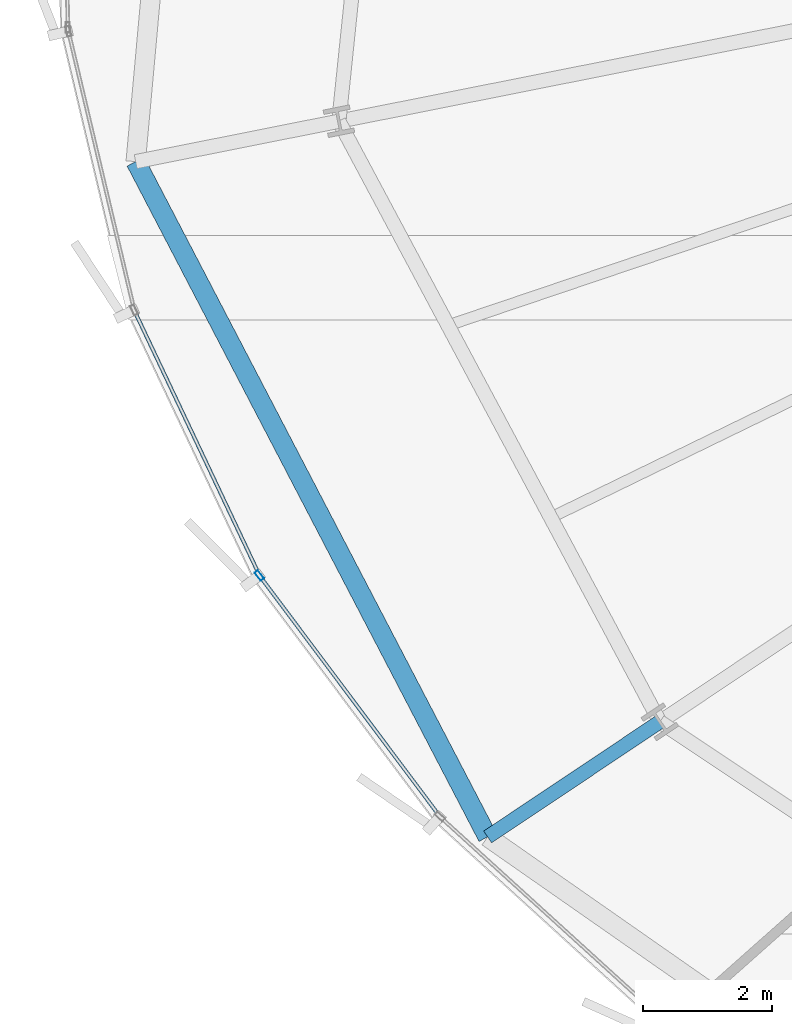
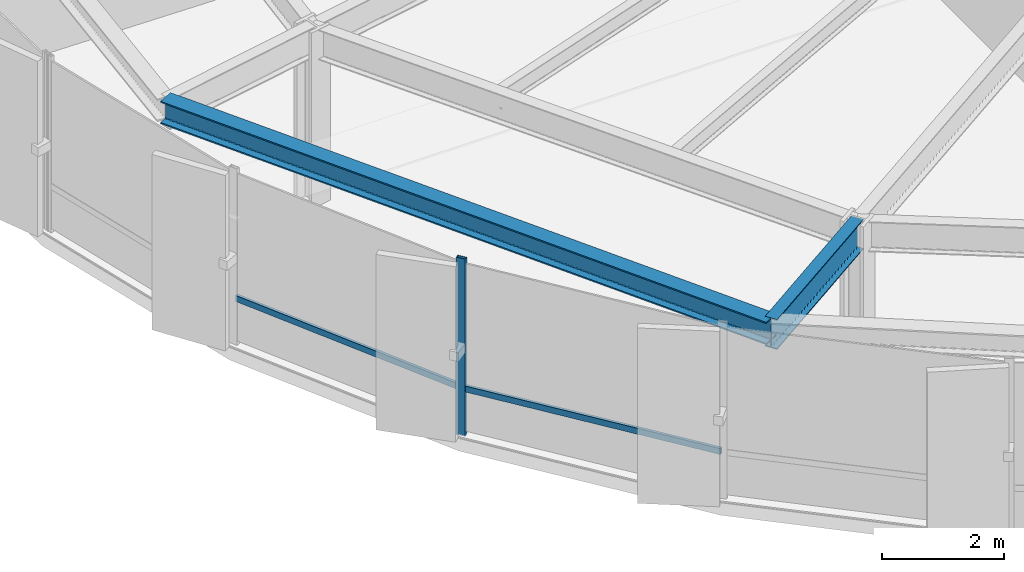
# One storey, part 3 of 37: 3 members, 2 beams, 1 element without a shape of its own.
"""IFC4 building model written with IfcOpenShell, lengths in metres."""

from ifc_helpers import new_model, si_unit, direction, frame, origin, origin_2d, place, context, subcontext, project, spatial, hollow_rectangle, i_section, extrude, source, transform, mapped, material, layer, layer_set, material_profile, profile_set, type_object, element, aggregate, save


model = new_model("IFC4")

# Units and contexts
model_context = context("Model", 3, precision=1e-05, world=origin(), true_north=direction((0.0, 1.0)))
body_context = subcontext(model_context, "Body", "Model", "MODEL_VIEW")
ifc_project = project(units=[si_unit("LENGTHUNIT", "METRE"), si_unit("AREAUNIT", "SQUARE_METRE"), si_unit("VOLUMEUNIT", "CUBIC_METRE"), si_unit("PLANEANGLEUNIT", "RADIAN"), si_unit("MASSUNIT", "GRAM", prefix="KILO"), si_unit("THERMODYNAMICTEMPERATUREUNIT", "KELVIN")], contexts=[model_context])

# Site, building, storey
site_placement = place(None, origin())
site = spatial("IfcSite", under=ifc_project, at=site_placement, CompositionType="ELEMENT")
building_placement = place(site_placement, origin())
building = spatial("IfcBuilding", under=site, at=building_placement, Name="Kethvar Cultural Tower", CompositionType="ELEMENT")
storey_placement = place(building_placement, frame((0.0, 0.0, 60.0)))
storey = spatial("IfcBuildingStorey", under=building, at=storey_placement, Name="L14", CompositionType="ELEMENT", Elevation=60.0)

# Beams
ifc_material_1 = material(Name="Steel S355J2", Category="steel")
ifc_material_profile_1 = material_profile(ifc_material_1, i_section(OverallWidth=0.219970703125, OverallDepth=0.60009765625, WebThickness=0.011962890625, FlangeThickness=0.01904296875, FilletRadius=0.02392578125, at=origin_2d()), Name="Steel S355J2 — IPE600")
ifc_profile_set_1 = profile_set([ifc_material_profile_1], Name="Steel S355J2 — IPE600")
beam_type_1 = type_object("IfcBeamType", Name="BM-IPE600", PredefinedType="BEAM", material=ifc_profile_set_1)
shared_shape_1 = source(origin(), body_context, "Body", "SweptSolid", [
    extrude(i_section(OverallWidth=0.219970703125, OverallDepth=0.60009765625, WebThickness=0.011962890625, FlangeThickness=0.01904296875, FilletRadius=0.02392578125, at=origin_2d()), origin(), (0.0, 0.0, 1.0), 3.2001953125),
])
beam_1_placement = place(storey_placement, frame((24.9248046875, 13.183349609375, 3.248046875), z_axis=(-0.831486491686, -0.555544970406, 0.0), x_axis=(0.555544970406, -0.831486491686, 0.0)))
element("IfcBeam", 1, at=beam_1_placement, inside=storey, type_object=beam_type_1, Name="L14 Perimeter Cantilever Beam RC-10", PredefinedType="BEAM", context=body_context, shape_type="MappedRepresentation", body=[
    mapped(shared_shape_1, transform((0.0, 0.0, 0.0), scale=1.0)),
])
ifc_material_profile_2 = material_profile(ifc_material_1, i_section(OverallWidth=0.300048828125, OverallDepth=0.449951171875, WebThickness=0.013916015625, FlangeThickness=0.02587890625, FilletRadius=0.027099609375, at=origin_2d()), Name="Steel S355J2 — HEB450")
ifc_profile_set_2 = profile_set([ifc_material_profile_2], Name="Steel S355J2 — HEB450")
beam_type_2 = type_object("IfcBeamType", Name="BM-SP450", PredefinedType="SPANDREL", material=ifc_profile_set_2)
shared_shape_2 = source(origin(), body_context, "Body", "SweptSolid", [
    extrude(i_section(OverallWidth=0.300048828125, OverallDepth=0.449951171875, WebThickness=0.013916015625, FlangeThickness=0.02587890625, FilletRadius=0.027099609375, at=origin_2d()), origin(), (0.0, 0.0, 1.0), 11.76416015625),
])
beam_2_placement = place(storey_placement, frame((16.827392578125, 21.838134765625, 3.322998046875), z_axis=(0.462126222064, -0.886814160285, 0.0), x_axis=(0.886814160285, 0.462126222064, 0.0)))
element("IfcBeam", 2, at=beam_2_placement, inside=storey, type_object=beam_type_2, Name="L14 Perimeter Spandrel Beam SP-09", PredefinedType="SPANDREL", context=body_context, shape_type="MappedRepresentation", body=[
    mapped(shared_shape_2, transform((0.0, 0.0, 0.0), scale=1.0)),
])

# Curtain wall, members
ifc_material_2 = material(Name="Aluminium 6063-T6", Category="aluminium")
ifc_layer = layer(ifc_material_2, 0.179931640625, Name="Aluminium 6063-T6", Category="aluminium")
ifc_layer_set = layer_set([ifc_layer], Name="Aluminium 6063-T6 (180 mm)")
curtain_wall_type = type_object("IfcCurtainWallType", Name="CW-SYS-02-Z1", PredefinedType="NOTDEFINED", material=ifc_layer_set)
curtain_wall_placement = place(storey_placement, origin())
curtain_wall = element("IfcCurtainWall", 3, at=curtain_wall_placement, inside=storey, type_object=curtain_wall_type, Name="L14 Curtain Wall Run 04", PredefinedType="NOTDEFINED")
ifc_material_profile_3 = material_profile(ifc_material_2, hollow_rectangle(XDim=0.06494140625, YDim=0.159912109375, WallThickness=0.0048828125, at=origin_2d()), Name="Aluminium 6063-T6 — RHS160x65x5")
ifc_profile_set_3 = profile_set([ifc_material_profile_3], Name="Aluminium 6063-T6 — RHS160x65x5")
member_type_1 = type_object("IfcMemberType", Name="CW-SYS-02-Z1-MUL", PredefinedType="MULLION", material=ifc_profile_set_3)
shared_shape_3 = source(origin(), body_context, "Body", "SweptSolid", [
    extrude(hollow_rectangle(XDim=0.06494140625, YDim=0.159912109375, WallThickness=0.0048828125, at=origin_2d()), origin(), (0.0, 0.0, 1.0), 3.550048828125),
])
member_1_placement = place(storey_placement, frame((18.73779296875, 15.444580078125, 0.0), z_axis=(0.0, 0.0, 1.0), x_axis=(0.80038622533, 0.599484687295, 0.0)))
member_1 = element("IfcMember", 4, at=member_1_placement, type_object=member_type_1, Name="CW-L14-R04 Mullion 3", PredefinedType="MULLION", context=body_context, shape_type="MappedRepresentation", body=[
    mapped(shared_shape_3, transform((0.0, 0.0, 0.0), scale=1.0)),
])
ifc_material_profile_4 = material_profile(ifc_material_2, hollow_rectangle(XDim=0.054931640625, YDim=0.1201171875, WallThickness=0.00390625, at=origin_2d()), Name="Aluminium 6063-T6 — RHS120x55x4")
ifc_profile_set_4 = profile_set([ifc_material_profile_4], Name="Aluminium 6063-T6 — RHS120x55x4")
member_type_2 = type_object("IfcMemberType", Name="CW-SYS-02-Z1-TRN", PredefinedType="USERDEFINED", material=ifc_profile_set_4)
shared_shape_4 = source(origin(), body_context, "Body", "SweptSolid", [
    extrude(hollow_rectangle(XDim=0.054931640625, YDim=0.1201171875, WallThickness=0.00390625, at=origin_2d()), origin(), (0.0, 0.0, 1.0), 4.464111328125),
])
member_2_placement = place(storey_placement, frame((16.822509765625, 19.502197265625, 0.949951171875), z_axis=(0.427395058624, -0.904064966617, 0.0), x_axis=(0.904064966617, 0.427395058624, 0.0)))
member_2 = element("IfcMember", 5, at=member_2_placement, type_object=member_type_2, Name="CW-L14-R04 Transom 2", ObjectType="TRANSOM", PredefinedType="USERDEFINED", context=body_context, shape_type="MappedRepresentation", body=[
    mapped(shared_shape_4, transform((0.0, 0.0, 0.0), scale=1.0)),
])
shared_shape_5 = source(origin(), body_context, "Body", "SweptSolid", [
    extrude(hollow_rectangle(XDim=0.054931640625, YDim=0.1201171875, WallThickness=0.00390625, at=origin_2d()), origin(), (0.0, 0.0, 1.0), 4.58251953125),
])
member_3_placement = place(storey_placement, frame((18.76611328125, 15.4072265625, 0.949951171875), z_axis=(0.599454320834, -0.800408968736, 0.0), x_axis=(0.800408968736, 0.599454320834, 0.0)))
member_3 = element("IfcMember", 6, at=member_3_placement, type_object=member_type_2, Name="CW-L14-R04 Transom 3", ObjectType="TRANSOM", PredefinedType="USERDEFINED", context=body_context, shape_type="MappedRepresentation", body=[
    mapped(shared_shape_5, transform((0.0, 0.0, 0.0), scale=1.0)),
])
aggregate(curtain_wall, [member_1, member_2, member_3])

save(model, "model.ifc")
